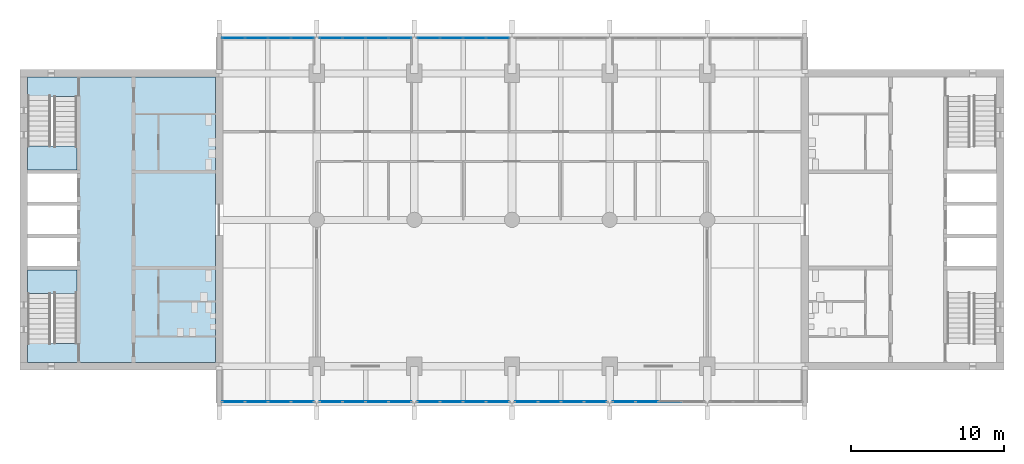
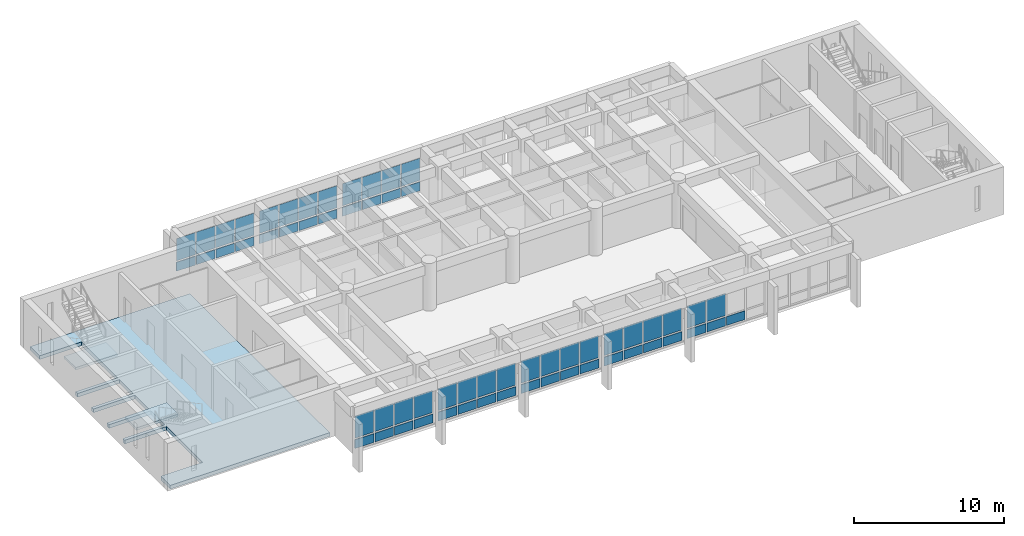
# One storey, part 7 of 15: 61 plates, 3 slabs, 10 elements without a shape of their own.
"""IFC4 building model written with IfcOpenShell, lengths in metres."""

from ifc_helpers import new_model, si_unit, direction, frame, origin, origin_2d, place, context, subcontext, project, spatial, polyline, rectangle, outline, extrude, material, layer, layer_set, type_object, element, aggregate, save


model = new_model("IFC4")

# Units and contexts
model_context = context("Model", 3, precision=1e-05, world=origin(), true_north=direction((0.0, 1.0)))
body_context = subcontext(model_context, "Body", "Model", "MODEL_VIEW")
ifc_project = project(units=[si_unit("LENGTHUNIT", "METRE"), si_unit("AREAUNIT", "SQUARE_METRE"), si_unit("VOLUMEUNIT", "CUBIC_METRE"), si_unit("PLANEANGLEUNIT", "RADIAN"), si_unit("MASSUNIT", "GRAM", prefix="KILO")], contexts=[model_context])

# Site, building, storey
site_placement = place(None, origin())
site = spatial("IfcSite", under=ifc_project, at=site_placement, CompositionType="ELEMENT")
building_placement = place(site_placement, origin())
building = spatial("IfcBuilding", under=site, at=building_placement, Name="Fogon Plaza Fire Station and Headquarters Tower", CompositionType="ELEMENT")
storey_placement = place(building_placement, frame((0.0, 0.0, 32.699951171875)))
storey = spatial("IfcBuildingStorey", under=building, at=storey_placement, Name="L08", CompositionType="ELEMENT", Elevation=32.699951171875)

# Slab
ifc_material_1 = material(Name="Concrete C40", Category="concrete")
ifc_layer_1 = layer(ifc_material_1, 0.300048828125)
ifc_layer_set_1 = layer_set([ifc_layer_1], Name="Concrete C40")
slab_type_1 = type_object("IfcSlabType", Name="Core Floor Slab RC 300", PredefinedType="FLOOR", material=ifc_layer_set_1)
slab_1_placement = place(storey_placement, frame((0.0, 0.0, -0.300048828125)))
element("IfcSlab", 1, at=slab_1_placement, inside=storey, type_object=slab_type_1, Name="Core A floor", PredefinedType="FLOOR", context=body_context, shape_type="SweptSolid", body=[
    extrude(outline(polyline([(13.050048828125, 35.110107421875), (13.050048828125, 33.85009765625), (25.35009765625, 33.85009765625), (25.35009765625, 52.550048828125), (13.050048828125, 52.550048828125), (13.050048828125, 51.2900390625), (16.27490234375, 51.2900390625), (16.27490234375, 46.47509765625), (13.050048828125, 46.47509765625), (13.050048828125, 46.22509765625), (16.27490234375, 46.22509765625), (16.27490234375, 44.375), (13.050048828125, 44.375), (13.050048828125, 44.125), (16.27490234375, 44.125), (16.27490234375, 42.27490234375), (13.050048828125, 42.27490234375), (13.050048828125, 42.02490234375), (16.27490234375, 42.02490234375), (16.27490234375, 40.175048828125), (13.050048828125, 40.175048828125), (13.050048828125, 39.925048828125), (16.27490234375, 39.925048828125), (16.27490234375, 35.110107421875), (13.050048828125, 35.110107421875)])), origin(), (0.0, 0.0, 1.0), 0.300048828125),
])

# Curtain wall, plates
ifc_material_2 = material(Name="Aluminium and glass", Category="aluminium")
ifc_layer_2 = layer(ifc_material_2, 0.14990234375)
ifc_layer_set_2 = layer_set([ifc_layer_2], Name="Aluminium and glass")
curtain_wall_type = type_object("IfcCurtainWallType", Name="Unitised Curtain Wall Run 6100x2880", PredefinedType="NOTDEFINED", material=ifc_layer_set_2)
curtain_wall_1_placement = place(storey_placement, origin())
curtain_wall_1 = element("IfcCurtainWall", 2, at=curtain_wall_1_placement, inside=storey, type_object=curtain_wall_type, Name="CW-6100x2880 S1 L08", PredefinedType="NOTDEFINED")
ifc_material_3 = material(Name="Insulated aluminium spandrel", Category="aluminium")
ifc_layer_3 = layer(ifc_material_3, 0.06005859375)
ifc_layer_set_3 = layer_set([ifc_layer_3], Name="Insulated aluminium spandrel")
plate_type_1 = type_object("IfcPlateType", Name="Insulated Spandrel Panel", PredefinedType="CURTAIN_PANEL", material=ifc_layer_set_3)
plate_1_placement = place(storey_placement, frame((26.534912109375, 31.280029296875, 0.1201171875), z_axis=(0.0, 0.0, 1.0), x_axis=(1.0, 0.0, 0.0)))
plate_1 = element("IfcPlate", 3, at=plate_1_placement, type_object=plate_type_1, Name="SP1 panel 1.1", PredefinedType="CURTAIN_PANEL", context=body_context, shape_type="SweptSolid", body=[
    extrude(rectangle(XDim=1.449951171875, YDim=0.06005859375, at=origin_2d()), origin(), (0.0, 0.0, 1.0), 0.719970703125),
])
plate_2_placement = place(storey_placement, frame((28.044921875, 31.280029296875, 0.1201171875), z_axis=(0.0, 0.0, 1.0), x_axis=(1.0, 0.0, 0.0)))
plate_2 = element("IfcPlate", 4, at=plate_2_placement, type_object=plate_type_1, Name="SP1 panel 2.1", PredefinedType="CURTAIN_PANEL", context=body_context, shape_type="SweptSolid", body=[
    extrude(rectangle(XDim=1.449951171875, YDim=0.06005859375, at=origin_2d()), origin(), (0.0, 0.0, 1.0), 0.719970703125),
])
plate_3_placement = place(storey_placement, frame((29.554931640625, 31.280029296875, 0.1201171875), z_axis=(0.0, 0.0, 1.0), x_axis=(1.0, 0.0, 0.0)))
plate_3 = element("IfcPlate", 5, at=plate_3_placement, type_object=plate_type_1, Name="SP1 panel 3.1", PredefinedType="CURTAIN_PANEL", context=body_context, shape_type="SweptSolid", body=[
    extrude(rectangle(XDim=1.449951171875, YDim=0.06005859375, at=origin_2d()), origin(), (0.0, 0.0, 1.0), 0.719970703125),
])
plate_4_placement = place(storey_placement, frame((31.06494140625, 31.280029296875, 0.1201171875), z_axis=(0.0, 0.0, 1.0), x_axis=(1.0, 0.0, 0.0)))
plate_4 = element("IfcPlate", 6, at=plate_4_placement, type_object=plate_type_1, Name="SP1 panel 4.1", PredefinedType="CURTAIN_PANEL", context=body_context, shape_type="SweptSolid", body=[
    extrude(rectangle(XDim=1.449951171875, YDim=0.06005859375, at=origin_2d()), origin(), (0.0, 0.0, 1.0), 0.719970703125),
])

curtain_wall_2_placement = place(storey_placement, origin())
curtain_wall_2 = element("IfcCurtainWall", 7, at=curtain_wall_2_placement, inside=storey, type_object=curtain_wall_type, Name="CW-6100x2880 S2 L08", PredefinedType="NOTDEFINED")
plate_5_placement = place(storey_placement, frame((32.93505859375, 31.280029296875, 0.1201171875), z_axis=(0.0, 0.0, 1.0), x_axis=(1.0, 0.0, 0.0)))
plate_5 = element("IfcPlate", 8, at=plate_5_placement, type_object=plate_type_1, Name="SP1 panel 1.1", PredefinedType="CURTAIN_PANEL", context=body_context, shape_type="SweptSolid", body=[
    extrude(rectangle(XDim=1.449951171875, YDim=0.06005859375, at=origin_2d()), origin(), (0.0, 0.0, 1.0), 0.719970703125),
])
plate_6_placement = place(storey_placement, frame((34.445068359375, 31.280029296875, 0.1201171875), z_axis=(0.0, 0.0, 1.0), x_axis=(1.0, 0.0, 0.0)))
plate_6 = element("IfcPlate", 9, at=plate_6_placement, type_object=plate_type_1, Name="SP1 panel 2.1", PredefinedType="CURTAIN_PANEL", context=body_context, shape_type="SweptSolid", body=[
    extrude(rectangle(XDim=1.449951171875, YDim=0.06005859375, at=origin_2d()), origin(), (0.0, 0.0, 1.0), 0.719970703125),
])
plate_7_placement = place(storey_placement, frame((35.955078125, 31.280029296875, 0.1201171875), z_axis=(0.0, 0.0, 1.0), x_axis=(1.0, 0.0, 0.0)))
plate_7 = element("IfcPlate", 10, at=plate_7_placement, type_object=plate_type_1, Name="SP1 panel 3.1", PredefinedType="CURTAIN_PANEL", context=body_context, shape_type="SweptSolid", body=[
    extrude(rectangle(XDim=1.449951171875, YDim=0.06005859375, at=origin_2d()), origin(), (0.0, 0.0, 1.0), 0.719970703125),
])
plate_8_placement = place(storey_placement, frame((37.465087890625, 31.280029296875, 0.1201171875), z_axis=(0.0, 0.0, 1.0), x_axis=(1.0, 0.0, 0.0)))
plate_8 = element("IfcPlate", 11, at=plate_8_placement, type_object=plate_type_1, Name="SP1 panel 4.1", PredefinedType="CURTAIN_PANEL", context=body_context, shape_type="SweptSolid", body=[
    extrude(rectangle(XDim=1.449951171875, YDim=0.06005859375, at=origin_2d()), origin(), (0.0, 0.0, 1.0), 0.719970703125),
])

curtain_wall_3_placement = place(storey_placement, origin())
curtain_wall_3 = element("IfcCurtainWall", 12, at=curtain_wall_3_placement, inside=storey, type_object=curtain_wall_type, Name="CW-6100x2880 S3 L08", PredefinedType="NOTDEFINED")
plate_9_placement = place(storey_placement, frame((39.3349609375, 31.280029296875, 0.1201171875), z_axis=(0.0, 0.0, 1.0), x_axis=(1.0, 0.0, 0.0)))
plate_9 = element("IfcPlate", 13, at=plate_9_placement, type_object=plate_type_1, Name="SP1 panel 1.1", PredefinedType="CURTAIN_PANEL", context=body_context, shape_type="SweptSolid", body=[
    extrude(rectangle(XDim=1.449951171875, YDim=0.06005859375, at=origin_2d()), origin(), (0.0, 0.0, 1.0), 0.719970703125),
])
plate_10_placement = place(storey_placement, frame((40.844970703125, 31.280029296875, 0.1201171875), z_axis=(0.0, 0.0, 1.0), x_axis=(1.0, 0.0, 0.0)))
plate_10 = element("IfcPlate", 14, at=plate_10_placement, type_object=plate_type_1, Name="SP1 panel 2.1", PredefinedType="CURTAIN_PANEL", context=body_context, shape_type="SweptSolid", body=[
    extrude(rectangle(XDim=1.449951171875, YDim=0.06005859375, at=origin_2d()), origin(), (0.0, 0.0, 1.0), 0.719970703125),
])
plate_11_placement = place(storey_placement, frame((42.35498046875, 31.280029296875, 0.1201171875), z_axis=(0.0, 0.0, 1.0), x_axis=(1.0, 0.0, 0.0)))
plate_11 = element("IfcPlate", 15, at=plate_11_placement, type_object=plate_type_1, Name="SP1 panel 3.1", PredefinedType="CURTAIN_PANEL", context=body_context, shape_type="SweptSolid", body=[
    extrude(rectangle(XDim=1.449951171875, YDim=0.06005859375, at=origin_2d()), origin(), (0.0, 0.0, 1.0), 0.719970703125),
])
plate_12_placement = place(storey_placement, frame((43.864990234375, 31.280029296875, 0.1201171875), z_axis=(0.0, 0.0, 1.0), x_axis=(1.0, 0.0, 0.0)))
plate_12 = element("IfcPlate", 16, at=plate_12_placement, type_object=plate_type_1, Name="SP1 panel 4.1", PredefinedType="CURTAIN_PANEL", context=body_context, shape_type="SweptSolid", body=[
    extrude(rectangle(XDim=1.449951171875, YDim=0.06005859375, at=origin_2d()), origin(), (0.0, 0.0, 1.0), 0.719970703125),
])

curtain_wall_4_placement = place(storey_placement, origin())
curtain_wall_4 = element("IfcCurtainWall", 17, at=curtain_wall_4_placement, inside=storey, type_object=curtain_wall_type, Name="CW-6100x2880 S4 L08", PredefinedType="NOTDEFINED")
plate_13_placement = place(storey_placement, frame((45.735107421875, 31.280029296875, 0.1201171875), z_axis=(0.0, 0.0, 1.0), x_axis=(1.0, 0.0, 0.0)))
plate_13 = element("IfcPlate", 18, at=plate_13_placement, type_object=plate_type_1, Name="SP1 panel 1.1", PredefinedType="CURTAIN_PANEL", context=body_context, shape_type="SweptSolid", body=[
    extrude(rectangle(XDim=1.449951171875, YDim=0.06005859375, at=origin_2d()), origin(), (0.0, 0.0, 1.0), 0.719970703125),
])
plate_14_placement = place(storey_placement, frame((47.2451171875, 31.280029296875, 0.1201171875), z_axis=(0.0, 0.0, 1.0), x_axis=(1.0, 0.0, 0.0)))
plate_14 = element("IfcPlate", 19, at=plate_14_placement, type_object=plate_type_1, Name="SP1 panel 2.1", PredefinedType="CURTAIN_PANEL", context=body_context, shape_type="SweptSolid", body=[
    extrude(rectangle(XDim=1.449951171875, YDim=0.06005859375, at=origin_2d()), origin(), (0.0, 0.0, 1.0), 0.719970703125),
])
plate_15_placement = place(storey_placement, frame((48.7548828125, 31.280029296875, 0.1201171875), z_axis=(0.0, 0.0, 1.0), x_axis=(1.0, 0.0, 0.0)))
plate_15 = element("IfcPlate", 20, at=plate_15_placement, type_object=plate_type_1, Name="SP1 panel 3.1", PredefinedType="CURTAIN_PANEL", context=body_context, shape_type="SweptSolid", body=[
    extrude(rectangle(XDim=1.449951171875, YDim=0.06005859375, at=origin_2d()), origin(), (0.0, 0.0, 1.0), 0.719970703125),
])
plate_16_placement = place(storey_placement, frame((50.264892578125, 31.280029296875, 0.1201171875), z_axis=(0.0, 0.0, 1.0), x_axis=(1.0, 0.0, 0.0)))
plate_16 = element("IfcPlate", 21, at=plate_16_placement, type_object=plate_type_1, Name="SP1 panel 4.1", PredefinedType="CURTAIN_PANEL", context=body_context, shape_type="SweptSolid", body=[
    extrude(rectangle(XDim=1.449951171875, YDim=0.06005859375, at=origin_2d()), origin(), (0.0, 0.0, 1.0), 0.719970703125),
])

curtain_wall_5_placement = place(storey_placement, origin())
curtain_wall_5 = element("IfcCurtainWall", 22, at=curtain_wall_5_placement, inside=storey, type_object=curtain_wall_type, Name="CW-6100x2880 S5 L08", PredefinedType="NOTDEFINED")
plate_17_placement = place(storey_placement, frame((52.135009765625, 31.280029296875, 0.1201171875), z_axis=(0.0, 0.0, 1.0), x_axis=(1.0, 0.0, 0.0)))
plate_17 = element("IfcPlate", 23, at=plate_17_placement, type_object=plate_type_1, Name="SP1 panel 1.1", PredefinedType="CURTAIN_PANEL", context=body_context, shape_type="SweptSolid", body=[
    extrude(rectangle(XDim=1.449951171875, YDim=0.06005859375, at=origin_2d()), origin(), (0.0, 0.0, 1.0), 0.719970703125),
])
plate_18_placement = place(storey_placement, frame((53.64501953125, 31.280029296875, 0.1201171875), z_axis=(0.0, 0.0, 1.0), x_axis=(1.0, 0.0, 0.0)))
plate_18 = element("IfcPlate", 24, at=plate_18_placement, type_object=plate_type_1, Name="SP1 panel 2.1", PredefinedType="CURTAIN_PANEL", context=body_context, shape_type="SweptSolid", body=[
    extrude(rectangle(XDim=1.449951171875, YDim=0.06005859375, at=origin_2d()), origin(), (0.0, 0.0, 1.0), 0.719970703125),
])
plate_19_placement = place(storey_placement, frame((55.155029296875, 31.280029296875, 0.1201171875), z_axis=(0.0, 0.0, 1.0), x_axis=(1.0, 0.0, 0.0)))
plate_19 = element("IfcPlate", 25, at=plate_19_placement, type_object=plate_type_1, Name="SP1 panel 3.1", PredefinedType="CURTAIN_PANEL", context=body_context, shape_type="SweptSolid", body=[
    extrude(rectangle(XDim=1.449951171875, YDim=0.06005859375, at=origin_2d()), origin(), (0.0, 0.0, 1.0), 0.719970703125),
])

curtain_wall_6_placement = place(storey_placement, origin())
curtain_wall_6 = element("IfcCurtainWall", 26, at=curtain_wall_6_placement, inside=storey, type_object=curtain_wall_type, Name="CW-6100x2880 N1 L08", PredefinedType="NOTDEFINED")
plate_20_placement = place(storey_placement, frame((26.534912109375, 55.1201171875, 0.1201171875), z_axis=(0.0, 0.0, 1.0), x_axis=(1.0, 0.0, 0.0)))
plate_20 = element("IfcPlate", 27, at=plate_20_placement, type_object=plate_type_1, Name="SP1 panel 1.1", PredefinedType="CURTAIN_PANEL", context=body_context, shape_type="SweptSolid", body=[
    extrude(rectangle(XDim=1.449951171875, YDim=0.06005859375, at=origin_2d()), origin(), (0.0, 0.0, 1.0), 0.719970703125),
])
plate_21_placement = place(storey_placement, frame((28.044921875, 55.1201171875, 0.1201171875), z_axis=(0.0, 0.0, 1.0), x_axis=(1.0, 0.0, 0.0)))
plate_21 = element("IfcPlate", 28, at=plate_21_placement, type_object=plate_type_1, Name="SP1 panel 2.1", PredefinedType="CURTAIN_PANEL", context=body_context, shape_type="SweptSolid", body=[
    extrude(rectangle(XDim=1.449951171875, YDim=0.06005859375, at=origin_2d()), origin(), (0.0, 0.0, 1.0), 0.719970703125),
])
plate_22_placement = place(storey_placement, frame((29.554931640625, 55.1201171875, 0.1201171875), z_axis=(0.0, 0.0, 1.0), x_axis=(1.0, 0.0, 0.0)))
plate_22 = element("IfcPlate", 29, at=plate_22_placement, type_object=plate_type_1, Name="SP1 panel 3.1", PredefinedType="CURTAIN_PANEL", context=body_context, shape_type="SweptSolid", body=[
    extrude(rectangle(XDim=1.449951171875, YDim=0.06005859375, at=origin_2d()), origin(), (0.0, 0.0, 1.0), 0.719970703125),
])
plate_23_placement = place(storey_placement, frame((31.06494140625, 55.1201171875, 0.1201171875), z_axis=(0.0, 0.0, 1.0), x_axis=(1.0, 0.0, 0.0)))
plate_23 = element("IfcPlate", 30, at=plate_23_placement, type_object=plate_type_1, Name="SP1 panel 4.1", PredefinedType="CURTAIN_PANEL", context=body_context, shape_type="SweptSolid", body=[
    extrude(rectangle(XDim=1.449951171875, YDim=0.06005859375, at=origin_2d()), origin(), (0.0, 0.0, 1.0), 0.719970703125),
])

curtain_wall_7_placement = place(storey_placement, origin())
curtain_wall_7 = element("IfcCurtainWall", 31, at=curtain_wall_7_placement, inside=storey, type_object=curtain_wall_type, Name="CW-6100x2880 N2 L08", PredefinedType="NOTDEFINED")
plate_24_placement = place(storey_placement, frame((32.93505859375, 55.1201171875, 0.1201171875), z_axis=(0.0, 0.0, 1.0), x_axis=(1.0, 0.0, 0.0)))
plate_24 = element("IfcPlate", 32, at=plate_24_placement, type_object=plate_type_1, Name="SP1 panel 1.1", PredefinedType="CURTAIN_PANEL", context=body_context, shape_type="SweptSolid", body=[
    extrude(rectangle(XDim=1.449951171875, YDim=0.06005859375, at=origin_2d()), origin(), (0.0, 0.0, 1.0), 0.719970703125),
])
plate_25_placement = place(storey_placement, frame((34.445068359375, 55.1201171875, 0.1201171875), z_axis=(0.0, 0.0, 1.0), x_axis=(1.0, 0.0, 0.0)))
plate_25 = element("IfcPlate", 33, at=plate_25_placement, type_object=plate_type_1, Name="SP1 panel 2.1", PredefinedType="CURTAIN_PANEL", context=body_context, shape_type="SweptSolid", body=[
    extrude(rectangle(XDim=1.449951171875, YDim=0.06005859375, at=origin_2d()), origin(), (0.0, 0.0, 1.0), 0.719970703125),
])
plate_26_placement = place(storey_placement, frame((35.955078125, 55.1201171875, 0.1201171875), z_axis=(0.0, 0.0, 1.0), x_axis=(1.0, 0.0, 0.0)))
plate_26 = element("IfcPlate", 34, at=plate_26_placement, type_object=plate_type_1, Name="SP1 panel 3.1", PredefinedType="CURTAIN_PANEL", context=body_context, shape_type="SweptSolid", body=[
    extrude(rectangle(XDim=1.449951171875, YDim=0.06005859375, at=origin_2d()), origin(), (0.0, 0.0, 1.0), 0.719970703125),
])
plate_27_placement = place(storey_placement, frame((37.465087890625, 55.1201171875, 0.1201171875), z_axis=(0.0, 0.0, 1.0), x_axis=(1.0, 0.0, 0.0)))
plate_27 = element("IfcPlate", 35, at=plate_27_placement, type_object=plate_type_1, Name="SP1 panel 4.1", PredefinedType="CURTAIN_PANEL", context=body_context, shape_type="SweptSolid", body=[
    extrude(rectangle(XDim=1.449951171875, YDim=0.06005859375, at=origin_2d()), origin(), (0.0, 0.0, 1.0), 0.719970703125),
])

curtain_wall_8_placement = place(storey_placement, origin())
curtain_wall_8 = element("IfcCurtainWall", 36, at=curtain_wall_8_placement, inside=storey, type_object=curtain_wall_type, Name="CW-6100x2880 N3 L08", PredefinedType="NOTDEFINED")
plate_28_placement = place(storey_placement, frame((39.3349609375, 55.1201171875, 0.1201171875), z_axis=(0.0, 0.0, 1.0), x_axis=(1.0, 0.0, 0.0)))
plate_28 = element("IfcPlate", 37, at=plate_28_placement, type_object=plate_type_1, Name="SP1 panel 1.1", PredefinedType="CURTAIN_PANEL", context=body_context, shape_type="SweptSolid", body=[
    extrude(rectangle(XDim=1.449951171875, YDim=0.06005859375, at=origin_2d()), origin(), (0.0, 0.0, 1.0), 0.719970703125),
])
plate_29_placement = place(storey_placement, frame((40.844970703125, 55.1201171875, 0.1201171875), z_axis=(0.0, 0.0, 1.0), x_axis=(1.0, 0.0, 0.0)))
plate_29 = element("IfcPlate", 38, at=plate_29_placement, type_object=plate_type_1, Name="SP1 panel 2.1", PredefinedType="CURTAIN_PANEL", context=body_context, shape_type="SweptSolid", body=[
    extrude(rectangle(XDim=1.449951171875, YDim=0.06005859375, at=origin_2d()), origin(), (0.0, 0.0, 1.0), 0.719970703125),
])
plate_30_placement = place(storey_placement, frame((42.35498046875, 55.1201171875, 0.1201171875), z_axis=(0.0, 0.0, 1.0), x_axis=(1.0, 0.0, 0.0)))
plate_30 = element("IfcPlate", 39, at=plate_30_placement, type_object=plate_type_1, Name="SP1 panel 3.1", PredefinedType="CURTAIN_PANEL", context=body_context, shape_type="SweptSolid", body=[
    extrude(rectangle(XDim=1.449951171875, YDim=0.06005859375, at=origin_2d()), origin(), (0.0, 0.0, 1.0), 0.719970703125),
])
plate_31_placement = place(storey_placement, frame((43.864990234375, 55.1201171875, 0.1201171875), z_axis=(0.0, 0.0, 1.0), x_axis=(1.0, 0.0, 0.0)))
plate_31 = element("IfcPlate", 40, at=plate_31_placement, type_object=plate_type_1, Name="SP1 panel 4.1", PredefinedType="CURTAIN_PANEL", context=body_context, shape_type="SweptSolid", body=[
    extrude(rectangle(XDim=1.449951171875, YDim=0.06005859375, at=origin_2d()), origin(), (0.0, 0.0, 1.0), 0.719970703125),
])

# Stair, slab
ifc_material_4 = material(Name="Concrete C40", Category="concrete")
stair_type = type_object("IfcStairType", Name="Exit Stair Two Flights", PredefinedType="TWO_STRAIGHT_RUN_STAIR", material=ifc_material_4)
stair_1_placement = place(storey_placement, origin())
stair_1 = element("IfcStair", 41, at=stair_1_placement, inside=storey, type_object=stair_type, Name="Stair ST1", PredefinedType="TWO_STRAIGHT_RUN_STAIR")
ifc_material_5 = material(Name="Concrete C40", Category="concrete")
ifc_layer_4 = layer(ifc_material_5, 0.300048828125)
ifc_layer_set_4 = layer_set([ifc_layer_4], Name="Concrete C40")
slab_type_2 = type_object("IfcSlabType", Name="Stair Landing RC 300", PredefinedType="LANDING", material=ifc_layer_set_4)
slab_2_placement = place(storey_placement, frame((0.0, 0.0, 1.75)))
slab_2 = element("IfcSlab", 42, at=slab_2_placement, type_object=slab_type_2, Name="ST1 landing L10", PredefinedType="LANDING", context=body_context, shape_type="SweptSolid", body=[
    extrude(outline(polyline([(16.27490234375, 38.375), (16.27490234375, 39.925048828125), (13.050048828125, 39.925048828125), (13.050048828125, 38.375), (16.27490234375, 38.375)])), origin(), (0.0, 0.0, 1.0), 0.199951171875),
])
aggregate(stair_1, [slab_2])

stair_2_placement = place(storey_placement, origin())
stair_2 = element("IfcStair", 43, at=stair_2_placement, inside=storey, type_object=stair_type, Name="Stair ST2", PredefinedType="TWO_STRAIGHT_RUN_STAIR")
slab_3_placement = place(storey_placement, frame((0.0, 0.0, 1.75)))
slab_3 = element("IfcSlab", 44, at=slab_3_placement, type_object=slab_type_2, Name="ST2 landing L10", PredefinedType="LANDING", context=body_context, shape_type="SweptSolid", body=[
    extrude(outline(polyline([(16.27490234375, 46.47509765625), (16.27490234375, 48.02490234375), (13.050048828125, 48.02490234375), (13.050048828125, 46.47509765625), (16.27490234375, 46.47509765625)])), origin(), (0.0, 0.0, 1.0), 0.199951171875),
])
aggregate(stair_2, [slab_3])

# Plate
ifc_material_6 = material(Name="Low-e double glazing", Category="glass")
ifc_layer_5 = layer(ifc_material_6, 0.028076171875)
ifc_layer_set_5 = layer_set([ifc_layer_5], Name="Low-e double glazing")
plate_type_2 = type_object("IfcPlateType", Name="Vision Glass Panel 1450x1800", PredefinedType="CURTAIN_PANEL", material=ifc_layer_set_5)
plate_32_placement = place(storey_placement, frame((26.534912109375, 31.280029296875, 0.9599609375), z_axis=(0.0, 0.0, 1.0), x_axis=(1.0, 0.0, 0.0)))
plate_32 = element("IfcPlate", 45, at=plate_32_placement, type_object=plate_type_2, Name="VG-1450x1800 panel 1.2", PredefinedType="CURTAIN_PANEL", context=body_context, shape_type="SweptSolid", body=[
    extrude(rectangle(XDim=1.449951171875, YDim=0.028076171875, at=origin_2d()), origin(), (0.0, 0.0, 1.0), 1.800048828125),
])

plate_33_placement = place(storey_placement, frame((28.044921875, 31.280029296875, 0.9599609375), z_axis=(0.0, 0.0, 1.0), x_axis=(1.0, 0.0, 0.0)))
plate_33 = element("IfcPlate", 46, at=plate_33_placement, type_object=plate_type_2, Name="VG-1450x1800 panel 2.2", PredefinedType="CURTAIN_PANEL", context=body_context, shape_type="SweptSolid", body=[
    extrude(rectangle(XDim=1.449951171875, YDim=0.028076171875, at=origin_2d()), origin(), (0.0, 0.0, 1.0), 1.800048828125),
])

plate_34_placement = place(storey_placement, frame((29.554931640625, 31.280029296875, 0.9599609375), z_axis=(0.0, 0.0, 1.0), x_axis=(1.0, 0.0, 0.0)))
plate_34 = element("IfcPlate", 47, at=plate_34_placement, type_object=plate_type_2, Name="VG-1450x1800 panel 3.2", PredefinedType="CURTAIN_PANEL", context=body_context, shape_type="SweptSolid", body=[
    extrude(rectangle(XDim=1.449951171875, YDim=0.028076171875, at=origin_2d()), origin(), (0.0, 0.0, 1.0), 1.800048828125),
])

plate_35_placement = place(storey_placement, frame((31.06494140625, 31.280029296875, 0.9599609375), z_axis=(0.0, 0.0, 1.0), x_axis=(1.0, 0.0, 0.0)))
plate_35 = element("IfcPlate", 48, at=plate_35_placement, type_object=plate_type_2, Name="VG-1450x1800 panel 4.2", PredefinedType="CURTAIN_PANEL", context=body_context, shape_type="SweptSolid", body=[
    extrude(rectangle(XDim=1.449951171875, YDim=0.028076171875, at=origin_2d()), origin(), (0.0, 0.0, 1.0), 1.800048828125),
])

aggregate(curtain_wall_1, [plate_1, plate_32, plate_2, plate_33, plate_3, plate_34, plate_4, plate_35])

plate_36_placement = place(storey_placement, frame((32.93505859375, 31.280029296875, 0.9599609375), z_axis=(0.0, 0.0, 1.0), x_axis=(1.0, 0.0, 0.0)))
plate_36 = element("IfcPlate", 49, at=plate_36_placement, type_object=plate_type_2, Name="VG-1450x1800 panel 1.2", PredefinedType="CURTAIN_PANEL", context=body_context, shape_type="SweptSolid", body=[
    extrude(rectangle(XDim=1.449951171875, YDim=0.028076171875, at=origin_2d()), origin(), (0.0, 0.0, 1.0), 1.800048828125),
])

plate_37_placement = place(storey_placement, frame((34.445068359375, 31.280029296875, 0.9599609375), z_axis=(0.0, 0.0, 1.0), x_axis=(1.0, 0.0, 0.0)))
plate_37 = element("IfcPlate", 50, at=plate_37_placement, type_object=plate_type_2, Name="VG-1450x1800 panel 2.2", PredefinedType="CURTAIN_PANEL", context=body_context, shape_type="SweptSolid", body=[
    extrude(rectangle(XDim=1.449951171875, YDim=0.028076171875, at=origin_2d()), origin(), (0.0, 0.0, 1.0), 1.800048828125),
])

plate_38_placement = place(storey_placement, frame((35.955078125, 31.280029296875, 0.9599609375), z_axis=(0.0, 0.0, 1.0), x_axis=(1.0, 0.0, 0.0)))
plate_38 = element("IfcPlate", 51, at=plate_38_placement, type_object=plate_type_2, Name="VG-1450x1800 panel 3.2", PredefinedType="CURTAIN_PANEL", context=body_context, shape_type="SweptSolid", body=[
    extrude(rectangle(XDim=1.449951171875, YDim=0.028076171875, at=origin_2d()), origin(), (0.0, 0.0, 1.0), 1.800048828125),
])

plate_39_placement = place(storey_placement, frame((37.465087890625, 31.280029296875, 0.9599609375), z_axis=(0.0, 0.0, 1.0), x_axis=(1.0, 0.0, 0.0)))
plate_39 = element("IfcPlate", 52, at=plate_39_placement, type_object=plate_type_2, Name="VG-1450x1800 panel 4.2", PredefinedType="CURTAIN_PANEL", context=body_context, shape_type="SweptSolid", body=[
    extrude(rectangle(XDim=1.449951171875, YDim=0.028076171875, at=origin_2d()), origin(), (0.0, 0.0, 1.0), 1.800048828125),
])

aggregate(curtain_wall_2, [plate_5, plate_36, plate_6, plate_37, plate_7, plate_38, plate_8, plate_39])

plate_40_placement = place(storey_placement, frame((39.3349609375, 31.280029296875, 0.9599609375), z_axis=(0.0, 0.0, 1.0), x_axis=(1.0, 0.0, 0.0)))
plate_40 = element("IfcPlate", 53, at=plate_40_placement, type_object=plate_type_2, Name="VG-1450x1800 panel 1.2", PredefinedType="CURTAIN_PANEL", context=body_context, shape_type="SweptSolid", body=[
    extrude(rectangle(XDim=1.449951171875, YDim=0.028076171875, at=origin_2d()), origin(), (0.0, 0.0, 1.0), 1.800048828125),
])

plate_41_placement = place(storey_placement, frame((40.844970703125, 31.280029296875, 0.9599609375), z_axis=(0.0, 0.0, 1.0), x_axis=(1.0, 0.0, 0.0)))
plate_41 = element("IfcPlate", 54, at=plate_41_placement, type_object=plate_type_2, Name="VG-1450x1800 panel 2.2", PredefinedType="CURTAIN_PANEL", context=body_context, shape_type="SweptSolid", body=[
    extrude(rectangle(XDim=1.449951171875, YDim=0.028076171875, at=origin_2d()), origin(), (0.0, 0.0, 1.0), 1.800048828125),
])

plate_42_placement = place(storey_placement, frame((42.35498046875, 31.280029296875, 0.9599609375), z_axis=(0.0, 0.0, 1.0), x_axis=(1.0, 0.0, 0.0)))
plate_42 = element("IfcPlate", 55, at=plate_42_placement, type_object=plate_type_2, Name="VG-1450x1800 panel 3.2", PredefinedType="CURTAIN_PANEL", context=body_context, shape_type="SweptSolid", body=[
    extrude(rectangle(XDim=1.449951171875, YDim=0.028076171875, at=origin_2d()), origin(), (0.0, 0.0, 1.0), 1.800048828125),
])

plate_43_placement = place(storey_placement, frame((43.864990234375, 31.280029296875, 0.9599609375), z_axis=(0.0, 0.0, 1.0), x_axis=(1.0, 0.0, 0.0)))
plate_43 = element("IfcPlate", 56, at=plate_43_placement, type_object=plate_type_2, Name="VG-1450x1800 panel 4.2", PredefinedType="CURTAIN_PANEL", context=body_context, shape_type="SweptSolid", body=[
    extrude(rectangle(XDim=1.449951171875, YDim=0.028076171875, at=origin_2d()), origin(), (0.0, 0.0, 1.0), 1.800048828125),
])

aggregate(curtain_wall_3, [plate_9, plate_40, plate_10, plate_41, plate_11, plate_42, plate_12, plate_43])

plate_44_placement = place(storey_placement, frame((45.735107421875, 31.280029296875, 0.9599609375), z_axis=(0.0, 0.0, 1.0), x_axis=(1.0, 0.0, 0.0)))
plate_44 = element("IfcPlate", 57, at=plate_44_placement, type_object=plate_type_2, Name="VG-1450x1800 panel 1.2", PredefinedType="CURTAIN_PANEL", context=body_context, shape_type="SweptSolid", body=[
    extrude(rectangle(XDim=1.449951171875, YDim=0.028076171875, at=origin_2d()), origin(), (0.0, 0.0, 1.0), 1.800048828125),
])

plate_45_placement = place(storey_placement, frame((47.2451171875, 31.280029296875, 0.9599609375), z_axis=(0.0, 0.0, 1.0), x_axis=(1.0, 0.0, 0.0)))
plate_45 = element("IfcPlate", 58, at=plate_45_placement, type_object=plate_type_2, Name="VG-1450x1800 panel 2.2", PredefinedType="CURTAIN_PANEL", context=body_context, shape_type="SweptSolid", body=[
    extrude(rectangle(XDim=1.449951171875, YDim=0.028076171875, at=origin_2d()), origin(), (0.0, 0.0, 1.0), 1.800048828125),
])

plate_46_placement = place(storey_placement, frame((48.7548828125, 31.280029296875, 0.9599609375), z_axis=(0.0, 0.0, 1.0), x_axis=(1.0, 0.0, 0.0)))
plate_46 = element("IfcPlate", 59, at=plate_46_placement, type_object=plate_type_2, Name="VG-1450x1800 panel 3.2", PredefinedType="CURTAIN_PANEL", context=body_context, shape_type="SweptSolid", body=[
    extrude(rectangle(XDim=1.449951171875, YDim=0.028076171875, at=origin_2d()), origin(), (0.0, 0.0, 1.0), 1.800048828125),
])

plate_47_placement = place(storey_placement, frame((50.264892578125, 31.280029296875, 0.9599609375), z_axis=(0.0, 0.0, 1.0), x_axis=(1.0, 0.0, 0.0)))
plate_47 = element("IfcPlate", 60, at=plate_47_placement, type_object=plate_type_2, Name="VG-1450x1800 panel 4.2", PredefinedType="CURTAIN_PANEL", context=body_context, shape_type="SweptSolid", body=[
    extrude(rectangle(XDim=1.449951171875, YDim=0.028076171875, at=origin_2d()), origin(), (0.0, 0.0, 1.0), 1.800048828125),
])

aggregate(curtain_wall_4, [plate_13, plate_44, plate_14, plate_45, plate_15, plate_46, plate_16, plate_47])

plate_48_placement = place(storey_placement, frame((52.135009765625, 31.280029296875, 0.9599609375), z_axis=(0.0, 0.0, 1.0), x_axis=(1.0, 0.0, 0.0)))
plate_48 = element("IfcPlate", 61, at=plate_48_placement, type_object=plate_type_2, Name="VG-1450x1800 panel 1.2", PredefinedType="CURTAIN_PANEL", context=body_context, shape_type="SweptSolid", body=[
    extrude(rectangle(XDim=1.449951171875, YDim=0.028076171875, at=origin_2d()), origin(), (0.0, 0.0, 1.0), 1.800048828125),
])

plate_49_placement = place(storey_placement, frame((53.64501953125, 31.280029296875, 0.9599609375), z_axis=(0.0, 0.0, 1.0), x_axis=(1.0, 0.0, 0.0)))
plate_49 = element("IfcPlate", 62, at=plate_49_placement, type_object=plate_type_2, Name="VG-1450x1800 panel 2.2", PredefinedType="CURTAIN_PANEL", context=body_context, shape_type="SweptSolid", body=[
    extrude(rectangle(XDim=1.449951171875, YDim=0.028076171875, at=origin_2d()), origin(), (0.0, 0.0, 1.0), 1.800048828125),
])

aggregate(curtain_wall_5, [plate_17, plate_48, plate_18, plate_49, plate_19])

plate_50_placement = place(storey_placement, frame((26.534912109375, 55.1201171875, 0.9599609375), z_axis=(0.0, 0.0, 1.0), x_axis=(1.0, 0.0, 0.0)))
plate_50 = element("IfcPlate", 63, at=plate_50_placement, type_object=plate_type_2, Name="VG-1450x1800 panel 1.2", PredefinedType="CURTAIN_PANEL", context=body_context, shape_type="SweptSolid", body=[
    extrude(rectangle(XDim=1.449951171875, YDim=0.028076171875, at=origin_2d()), origin(), (0.0, 0.0, 1.0), 1.800048828125),
])

plate_51_placement = place(storey_placement, frame((28.044921875, 55.1201171875, 0.9599609375), z_axis=(0.0, 0.0, 1.0), x_axis=(1.0, 0.0, 0.0)))
plate_51 = element("IfcPlate", 64, at=plate_51_placement, type_object=plate_type_2, Name="VG-1450x1800 panel 2.2", PredefinedType="CURTAIN_PANEL", context=body_context, shape_type="SweptSolid", body=[
    extrude(rectangle(XDim=1.449951171875, YDim=0.028076171875, at=origin_2d()), origin(), (0.0, 0.0, 1.0), 1.800048828125),
])

plate_52_placement = place(storey_placement, frame((29.554931640625, 55.1201171875, 0.9599609375), z_axis=(0.0, 0.0, 1.0), x_axis=(1.0, 0.0, 0.0)))
plate_52 = element("IfcPlate", 65, at=plate_52_placement, type_object=plate_type_2, Name="VG-1450x1800 panel 3.2", PredefinedType="CURTAIN_PANEL", context=body_context, shape_type="SweptSolid", body=[
    extrude(rectangle(XDim=1.449951171875, YDim=0.028076171875, at=origin_2d()), origin(), (0.0, 0.0, 1.0), 1.800048828125),
])

plate_53_placement = place(storey_placement, frame((31.06494140625, 55.1201171875, 0.9599609375), z_axis=(0.0, 0.0, 1.0), x_axis=(1.0, 0.0, 0.0)))
plate_53 = element("IfcPlate", 66, at=plate_53_placement, type_object=plate_type_2, Name="VG-1450x1800 panel 4.2", PredefinedType="CURTAIN_PANEL", context=body_context, shape_type="SweptSolid", body=[
    extrude(rectangle(XDim=1.449951171875, YDim=0.028076171875, at=origin_2d()), origin(), (0.0, 0.0, 1.0), 1.800048828125),
])

aggregate(curtain_wall_6, [plate_20, plate_50, plate_21, plate_51, plate_22, plate_52, plate_23, plate_53])

plate_54_placement = place(storey_placement, frame((32.93505859375, 55.1201171875, 0.9599609375), z_axis=(0.0, 0.0, 1.0), x_axis=(1.0, 0.0, 0.0)))
plate_54 = element("IfcPlate", 67, at=plate_54_placement, type_object=plate_type_2, Name="VG-1450x1800 panel 1.2", PredefinedType="CURTAIN_PANEL", context=body_context, shape_type="SweptSolid", body=[
    extrude(rectangle(XDim=1.449951171875, YDim=0.028076171875, at=origin_2d()), origin(), (0.0, 0.0, 1.0), 1.800048828125),
])

plate_55_placement = place(storey_placement, frame((34.445068359375, 55.1201171875, 0.9599609375), z_axis=(0.0, 0.0, 1.0), x_axis=(1.0, 0.0, 0.0)))
plate_55 = element("IfcPlate", 68, at=plate_55_placement, type_object=plate_type_2, Name="VG-1450x1800 panel 2.2", PredefinedType="CURTAIN_PANEL", context=body_context, shape_type="SweptSolid", body=[
    extrude(rectangle(XDim=1.449951171875, YDim=0.028076171875, at=origin_2d()), origin(), (0.0, 0.0, 1.0), 1.800048828125),
])

plate_56_placement = place(storey_placement, frame((35.955078125, 55.1201171875, 0.9599609375), z_axis=(0.0, 0.0, 1.0), x_axis=(1.0, 0.0, 0.0)))
plate_56 = element("IfcPlate", 69, at=plate_56_placement, type_object=plate_type_2, Name="VG-1450x1800 panel 3.2", PredefinedType="CURTAIN_PANEL", context=body_context, shape_type="SweptSolid", body=[
    extrude(rectangle(XDim=1.449951171875, YDim=0.028076171875, at=origin_2d()), origin(), (0.0, 0.0, 1.0), 1.800048828125),
])

plate_57_placement = place(storey_placement, frame((37.465087890625, 55.1201171875, 0.9599609375), z_axis=(0.0, 0.0, 1.0), x_axis=(1.0, 0.0, 0.0)))
plate_57 = element("IfcPlate", 70, at=plate_57_placement, type_object=plate_type_2, Name="VG-1450x1800 panel 4.2", PredefinedType="CURTAIN_PANEL", context=body_context, shape_type="SweptSolid", body=[
    extrude(rectangle(XDim=1.449951171875, YDim=0.028076171875, at=origin_2d()), origin(), (0.0, 0.0, 1.0), 1.800048828125),
])

aggregate(curtain_wall_7, [plate_24, plate_54, plate_25, plate_55, plate_26, plate_56, plate_27, plate_57])

plate_58_placement = place(storey_placement, frame((39.3349609375, 55.1201171875, 0.9599609375), z_axis=(0.0, 0.0, 1.0), x_axis=(1.0, 0.0, 0.0)))
plate_58 = element("IfcPlate", 71, at=plate_58_placement, type_object=plate_type_2, Name="VG-1450x1800 panel 1.2", PredefinedType="CURTAIN_PANEL", context=body_context, shape_type="SweptSolid", body=[
    extrude(rectangle(XDim=1.449951171875, YDim=0.028076171875, at=origin_2d()), origin(), (0.0, 0.0, 1.0), 1.800048828125),
])

plate_59_placement = place(storey_placement, frame((40.844970703125, 55.1201171875, 0.9599609375), z_axis=(0.0, 0.0, 1.0), x_axis=(1.0, 0.0, 0.0)))
plate_59 = element("IfcPlate", 72, at=plate_59_placement, type_object=plate_type_2, Name="VG-1450x1800 panel 2.2", PredefinedType="CURTAIN_PANEL", context=body_context, shape_type="SweptSolid", body=[
    extrude(rectangle(XDim=1.449951171875, YDim=0.028076171875, at=origin_2d()), origin(), (0.0, 0.0, 1.0), 1.800048828125),
])

plate_60_placement = place(storey_placement, frame((42.35498046875, 55.1201171875, 0.9599609375), z_axis=(0.0, 0.0, 1.0), x_axis=(1.0, 0.0, 0.0)))
plate_60 = element("IfcPlate", 73, at=plate_60_placement, type_object=plate_type_2, Name="VG-1450x1800 panel 3.2", PredefinedType="CURTAIN_PANEL", context=body_context, shape_type="SweptSolid", body=[
    extrude(rectangle(XDim=1.449951171875, YDim=0.028076171875, at=origin_2d()), origin(), (0.0, 0.0, 1.0), 1.800048828125),
])

plate_61_placement = place(storey_placement, frame((43.864990234375, 55.1201171875, 0.9599609375), z_axis=(0.0, 0.0, 1.0), x_axis=(1.0, 0.0, 0.0)))
plate_61 = element("IfcPlate", 74, at=plate_61_placement, type_object=plate_type_2, Name="VG-1450x1800 panel 4.2", PredefinedType="CURTAIN_PANEL", context=body_context, shape_type="SweptSolid", body=[
    extrude(rectangle(XDim=1.449951171875, YDim=0.028076171875, at=origin_2d()), origin(), (0.0, 0.0, 1.0), 1.800048828125),
])

aggregate(curtain_wall_8, [plate_28, plate_58, plate_29, plate_59, plate_30, plate_60, plate_31, plate_61])

save(model, "model.ifc")
